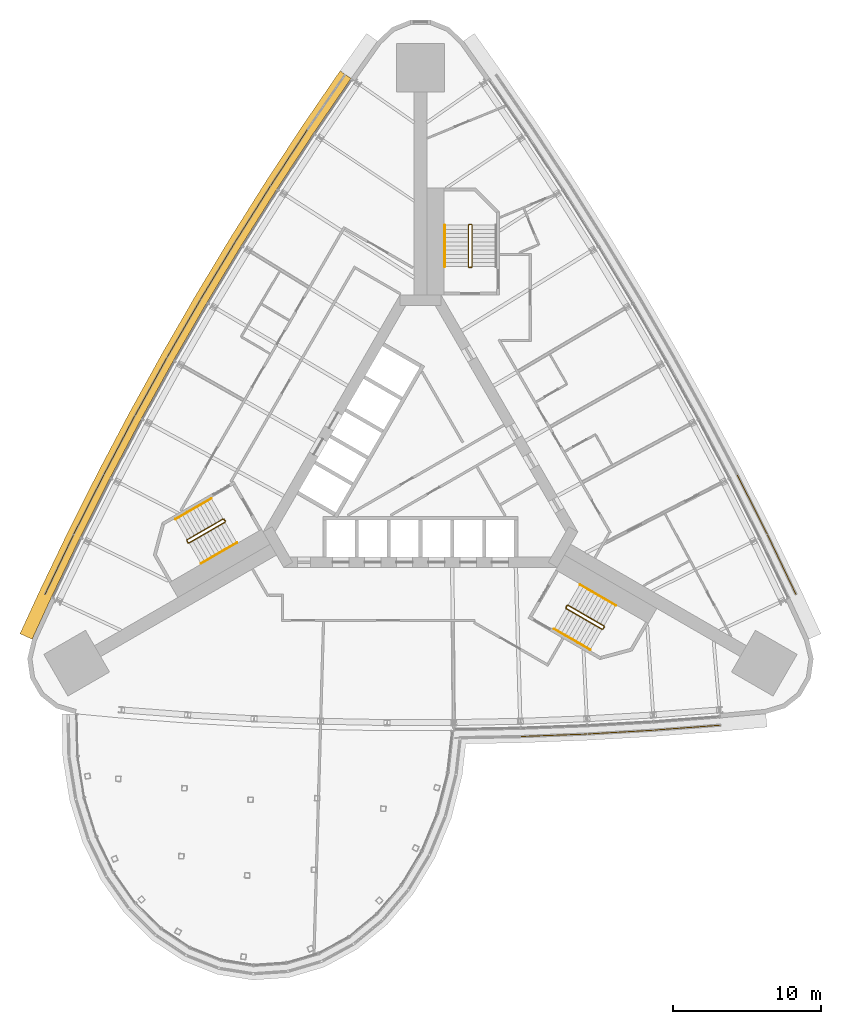
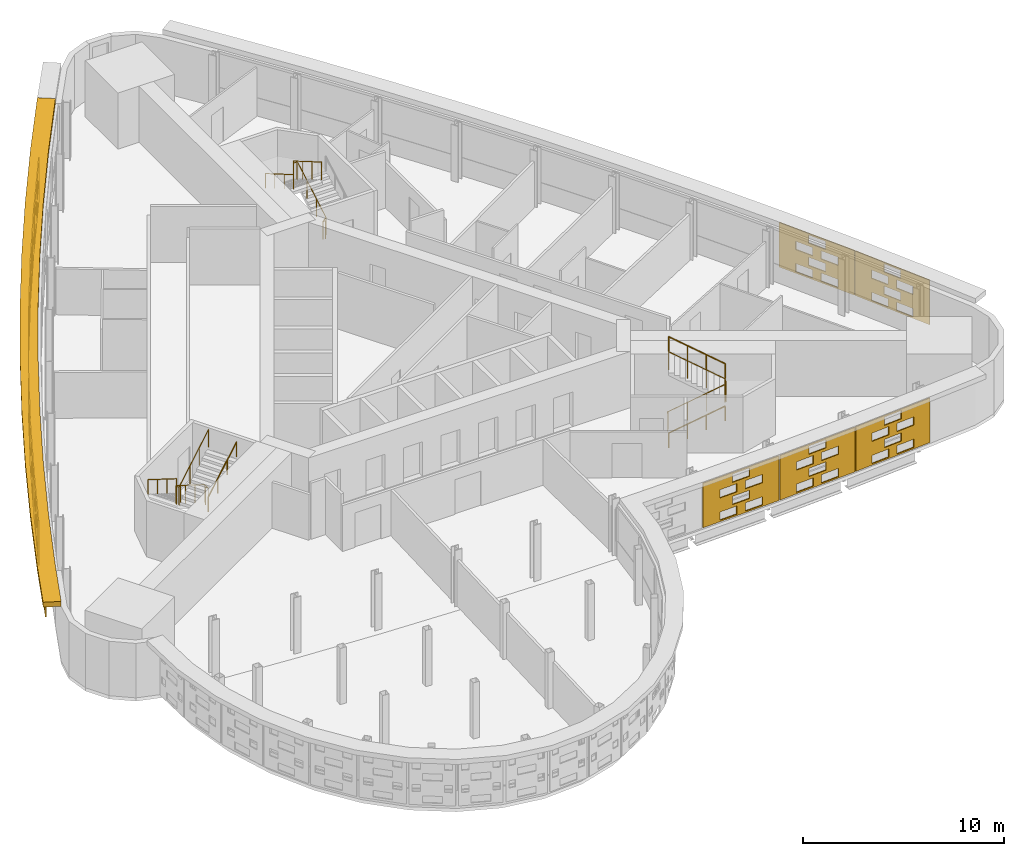
# One storey, part 14 of 15: 14 shading devices, 8 railings.
"""IFC4 building model written with IfcOpenShell, lengths in metres."""

from ifc_helpers import new_model, si_unit, direction, frame, origin, origin_2d, place, context, subcontext, project, spatial, polyline, circle, outline, extrude, material, material_profile, profile_set, type_object, element, save


model = new_model("IFC4")

# Units and contexts
model_context = context("Model", 3, precision=1e-05, world=origin(), true_north=direction((0.0, 1.0)))
body_context = subcontext(model_context, "Body", "Model", "MODEL_VIEW")
ifc_project = project(units=[si_unit("LENGTHUNIT", "METRE"), si_unit("AREAUNIT", "SQUARE_METRE"), si_unit("VOLUMEUNIT", "CUBIC_METRE"), si_unit("PLANEANGLEUNIT", "RADIAN"), si_unit("MASSUNIT", "GRAM", prefix="KILO")], contexts=[model_context])

# Site, building, storey
site_placement = place(None, origin())
site = spatial("IfcSite", under=ifc_project, at=site_placement, CompositionType="ELEMENT")
building_placement = place(site_placement, origin())
building = spatial("IfcBuilding", under=site, at=building_placement, Name="Noor Cloister Tower", CompositionType="ELEMENT")
storey_placement = place(building_placement, frame((0.0, 0.0, 58.199951171875)))
storey = spatial("IfcBuildingStorey", under=building, at=storey_placement, Name="L14", CompositionType="ELEMENT", Elevation=58.199951171875)

# Shading devices
ifc_material_1 = material(Name="Limestone", Category="masonry")
ifc_material_profile = material_profile(ifc_material_1, outline(polyline([(-2.22998046875, -1.35009765625), (2.22998046875, -1.35009765625), (2.22998046875, 1.35009765625), (-2.22998046875, 1.35009765625), (-2.22998046875, -1.35009765625)]), holes=[polyline([(-1.25, -1.263427734375), (-0.25, -1.263427734375), (-0.25, -0.76171875), (-1.25, -0.76171875), (-1.25, -1.263427734375)]), polyline([(0.25, -1.263427734375), (1.25, -1.263427734375), (1.25, -0.76171875), (0.25, -0.76171875), (0.25, -1.263427734375)]), polyline([(-0.5, -0.58837890625), (0.5, -0.58837890625), (0.5, -0.086669921875), (-0.5, -0.086669921875), (-0.5, -0.58837890625)]), polyline([(-1.25, 0.086669921875), (-0.25, 0.086669921875), (-0.25, 0.58837890625), (-1.25, 0.58837890625), (-1.25, 0.086669921875)]), polyline([(0.25, 0.086669921875), (1.25, 0.086669921875), (1.25, 0.58837890625), (0.25, 0.58837890625), (0.25, 0.086669921875)]), polyline([(-0.5, 0.76171875), (0.5, 0.76171875), (0.5, 1.263427734375), (-0.5, 1.263427734375), (-0.5, 0.76171875)])]), Name="Woven screen 25 percent open")
ifc_profile_set = profile_set([ifc_material_profile], Name="Limestone")
shading_device_type_1 = type_object("IfcShadingDeviceType", Name="SCREEN woven limestone 25 percent open", PredefinedType="USERDEFINED", material=ifc_profile_set)
shading_device_1_placement = place(storey_placement, frame((-8.83544921875, 20.710205078125, 1.85009765625), z_axis=(-0.837041537521, 0.547139346477, 0.0), x_axis=(-0.547139346477, -0.837041537521, 0.0)))
element("IfcShadingDevice", 1, at=shading_device_1_placement, inside=storey, type_object=shading_device_type_1, Name="SCREEN L14 2", ObjectType="SCREEN", PredefinedType="USERDEFINED", context=body_context, shape_type="SweptSolid", body=[
    extrude(outline(polyline([(-2.22998046875, -1.35009765625), (2.22998046875, -1.35009765625), (2.22998046875, 1.35009765625), (-2.22998046875, 1.35009765625), (-2.22998046875, -1.35009765625)]), holes=[polyline([(-1.25, -1.263427734375), (-0.25, -1.263427734375), (-0.25, -0.76171875), (-1.25, -0.76171875), (-1.25, -1.263427734375)]), polyline([(0.25, -1.263427734375), (1.25, -1.263427734375), (1.25, -0.76171875), (0.25, -0.76171875), (0.25, -1.263427734375)]), polyline([(-0.5, -0.58837890625), (0.5, -0.58837890625), (0.5, -0.086669921875), (-0.5, -0.086669921875), (-0.5, -0.58837890625)]), polyline([(-1.25, 0.086669921875), (-0.25, 0.086669921875), (-0.25, 0.58837890625), (-1.25, 0.58837890625), (-1.25, 0.086669921875)]), polyline([(0.25, 0.086669921875), (1.25, 0.086669921875), (1.25, 0.58837890625), (0.25, 0.58837890625), (0.25, 0.086669921875)]), polyline([(-0.5, 0.76171875), (0.5, 0.76171875), (0.5, 1.263427734375), (-0.5, 1.263427734375), (-0.5, 0.76171875)])]), origin(), (0.0, 0.0, 1.0), 0.059814453125),
])
shading_device_2_placement = place(storey_placement, frame((-11.2734375, 16.917724609375, 1.85009765625), z_axis=(-0.846164898331, 0.53292116193, 0.0), x_axis=(-0.53292116193, -0.846164898331, 0.0)))
element("IfcShadingDevice", 2, at=shading_device_2_placement, inside=storey, type_object=shading_device_type_1, Name="SCREEN L14 3", ObjectType="SCREEN", PredefinedType="USERDEFINED", context=body_context, shape_type="SweptSolid", body=[
    extrude(outline(polyline([(-2.22998046875, -1.35009765625), (2.22998046875, -1.35009765625), (2.22998046875, 1.35009765625), (-2.22998046875, 1.35009765625), (-2.22998046875, -1.35009765625)]), holes=[polyline([(-1.25, -1.263427734375), (-0.25, -1.263427734375), (-0.25, -0.76171875), (-1.25, -0.76171875), (-1.25, -1.263427734375)]), polyline([(0.25, -1.263427734375), (1.25, -1.263427734375), (1.25, -0.76171875), (0.25, -0.76171875), (0.25, -1.263427734375)]), polyline([(-0.5, -0.58837890625), (0.5, -0.58837890625), (0.5, -0.086669921875), (-0.5, -0.086669921875), (-0.5, -0.58837890625)]), polyline([(-1.25, 0.086669921875), (-0.25, 0.086669921875), (-0.25, 0.58837890625), (-1.25, 0.58837890625), (-1.25, 0.086669921875)]), polyline([(0.25, 0.086669921875), (1.25, 0.086669921875), (1.25, 0.58837890625), (0.25, 0.58837890625), (0.25, 0.086669921875)]), polyline([(-0.5, 0.76171875), (0.5, 0.76171875), (0.5, 1.263427734375), (-0.5, 1.263427734375), (-0.5, 0.76171875)])]), origin(), (0.0, 0.0, 1.0), 0.06005859375),
])
shading_device_3_placement = place(storey_placement, frame((-13.638427734375, 13.07958984375, 1.85009765625), z_axis=(-0.855690023312, 0.517488728384, 0.0), x_axis=(-0.517488728384, -0.855690023312, 0.0)))
element("IfcShadingDevice", 3, at=shading_device_3_placement, inside=storey, type_object=shading_device_type_1, Name="SCREEN L14 4", ObjectType="SCREEN", PredefinedType="USERDEFINED", context=body_context, shape_type="SweptSolid", body=[
    extrude(outline(polyline([(-2.22998046875, -1.35009765625), (2.22998046875, -1.35009765625), (2.22998046875, 1.35009765625), (-2.22998046875, 1.35009765625), (-2.22998046875, -1.35009765625)]), holes=[polyline([(-1.25, -1.263427734375), (-0.25, -1.263427734375), (-0.25, -0.76171875), (-1.25, -0.76171875), (-1.25, -1.263427734375)]), polyline([(0.25, -1.263427734375), (1.25, -1.263427734375), (1.25, -0.76171875), (0.25, -0.76171875), (0.25, -1.263427734375)]), polyline([(-0.5, -0.58837890625), (0.5, -0.58837890625), (0.5, -0.086669921875), (-0.5, -0.086669921875), (-0.5, -0.58837890625)]), polyline([(-1.25, 0.086669921875), (-0.25, 0.086669921875), (-0.25, 0.58837890625), (-1.25, 0.58837890625), (-1.25, 0.086669921875)]), polyline([(0.25, 0.086669921875), (1.25, 0.086669921875), (1.25, 0.58837890625), (0.25, 0.58837890625), (0.25, 0.086669921875)]), polyline([(-0.5, 0.76171875), (0.5, 0.76171875), (0.5, 1.263427734375), (-0.5, 1.263427734375), (-0.5, 0.76171875)])]), origin(), (0.0, 0.0, 1.0), 0.059814453125),
])
shading_device_4_placement = place(storey_placement, frame((-15.9296875, 9.197021484375, 1.85009765625), z_axis=(-0.865982457891, 0.500074377092, 0.0), x_axis=(-0.500074377092, -0.865982457891, 0.0)))
element("IfcShadingDevice", 4, at=shading_device_4_placement, inside=storey, type_object=shading_device_type_1, Name="SCREEN L14 5", ObjectType="SCREEN", PredefinedType="USERDEFINED", context=body_context, shape_type="SweptSolid", body=[
    extrude(outline(polyline([(-2.22998046875, -1.35009765625), (2.22998046875, -1.35009765625), (2.22998046875, 1.35009765625), (-2.22998046875, 1.35009765625), (-2.22998046875, -1.35009765625)]), holes=[polyline([(-1.25, -1.263427734375), (-0.25, -1.263427734375), (-0.25, -0.76171875), (-1.25, -0.76171875), (-1.25, -1.263427734375)]), polyline([(0.25, -1.263427734375), (1.25, -1.263427734375), (1.25, -0.76171875), (0.25, -0.76171875), (0.25, -1.263427734375)]), polyline([(-0.5, -0.58837890625), (0.5, -0.58837890625), (0.5, -0.086669921875), (-0.5, -0.086669921875), (-0.5, -0.58837890625)]), polyline([(-1.25, 0.086669921875), (-0.25, 0.086669921875), (-0.25, 0.58837890625), (-1.25, 0.58837890625), (-1.25, 0.086669921875)]), polyline([(0.25, 0.086669921875), (1.25, 0.086669921875), (1.25, 0.58837890625), (0.25, 0.58837890625), (0.25, 0.086669921875)]), polyline([(-0.5, 0.76171875), (0.5, 0.76171875), (0.5, 1.263427734375), (-0.5, 1.263427734375), (-0.5, 0.76171875)])]), origin(), (0.0, 0.0, 1.0), 0.06005859375),
])
shading_device_5_placement = place(storey_placement, frame((-18.146484375, 5.271484375, 1.85009765625), z_axis=(-0.876645997325, 0.481135942718, 0.0), x_axis=(-0.481135942718, -0.876645997325, 0.0)))
element("IfcShadingDevice", 5, at=shading_device_5_placement, inside=storey, type_object=shading_device_type_1, Name="SCREEN L14 6", ObjectType="SCREEN", PredefinedType="USERDEFINED", context=body_context, shape_type="SweptSolid", body=[
    extrude(outline(polyline([(-2.22998046875, -1.35009765625), (2.22998046875, -1.35009765625), (2.22998046875, 1.35009765625), (-2.22998046875, 1.35009765625), (-2.22998046875, -1.35009765625)]), holes=[polyline([(-1.25, -1.263427734375), (-0.25, -1.263427734375), (-0.25, -0.76171875), (-1.25, -0.76171875), (-1.25, -1.263427734375)]), polyline([(0.25, -1.263427734375), (1.25, -1.263427734375), (1.25, -0.76171875), (0.25, -0.76171875), (0.25, -1.263427734375)]), polyline([(-0.5, -0.58837890625), (0.5, -0.58837890625), (0.5, -0.086669921875), (-0.5, -0.086669921875), (-0.5, -0.58837890625)]), polyline([(-1.25, 0.086669921875), (-0.25, 0.086669921875), (-0.25, 0.58837890625), (-1.25, 0.58837890625), (-1.25, 0.086669921875)]), polyline([(0.25, 0.086669921875), (1.25, 0.086669921875), (1.25, 0.58837890625), (0.25, 0.58837890625), (0.25, 0.086669921875)]), polyline([(-0.5, 0.76171875), (0.5, 0.76171875), (0.5, 1.263427734375), (-0.5, 1.263427734375), (-0.5, 0.76171875)])]), origin(), (0.0, 0.0, 1.0), 0.059814453125),
])
for number, where, z_axis, x_axis, name in (
    (6, (-20.287841796875, 1.30419921875, 1.85009765625), (-0.886149575817, 0.463399319464, 0.0), (-0.463399319464, -0.886149575817, 0.0), "SCREEN L14 7"),
    (7, (-22.353271484375, -2.703369140625, 1.85009765625), (-0.891970083601, 0.452094425935, 0.0), (-0.452094425935, -0.891970083601, 0.0), "SCREEN L14 8"),
    (8, (-24.341552734375, -6.74951171875, 1.85009765625), (-0.902409201061, 0.430880068975, 0.0), (-0.430880068975, -0.902409201061, 0.0), "SCREEN L14 9"),
    (9, (9.0146484375, -18.221923828125, 1.85009765625), (0.036560905851, -0.999331426586, 0.0), (0.999331426586, 0.036560905851, 0.0), "SCREEN L14 20"),
):
    element("IfcShadingDevice", number, at=place(storey_placement, frame(where, z_axis=z_axis, x_axis=x_axis)), inside=storey, type_object=shading_device_type_1, Name=name, ObjectType="SCREEN", PredefinedType="USERDEFINED", context=body_context, shape_type="SweptSolid", body=[
        extrude(outline(polyline([(-2.22998046875, -1.35009765625), (2.22998046875, -1.35009765625), (2.22998046875, 1.35009765625), (-2.22998046875, 1.35009765625), (-2.22998046875, -1.35009765625)]), holes=[polyline([(-1.25, -1.263427734375), (-0.25, -1.263427734375), (-0.25, -0.76171875), (-1.25, -0.76171875), (-1.25, -1.263427734375)]), polyline([(0.25, -1.263427734375), (1.25, -1.263427734375), (1.25, -0.76171875), (0.25, -0.76171875), (0.25, -1.263427734375)]), polyline([(-0.5, -0.58837890625), (0.5, -0.58837890625), (0.5, -0.086669921875), (-0.5, -0.086669921875), (-0.5, -0.58837890625)]), polyline([(-1.25, 0.086669921875), (-0.25, 0.086669921875), (-0.25, 0.58837890625), (-1.25, 0.58837890625), (-1.25, 0.086669921875)]), polyline([(0.25, 0.086669921875), (1.25, 0.086669921875), (1.25, 0.58837890625), (0.25, 0.58837890625), (0.25, 0.086669921875)]), polyline([(-0.5, 0.76171875), (0.5, 0.76171875), (0.5, 1.263427734375), (-0.5, 1.263427734375), (-0.5, 0.76171875)])]), origin(), (0.0, 0.0, 1.0), 0.06005859375),
    ])
shading_device_6_placement = place(storey_placement, frame((13.517822265625, -18.0068359375, 1.85009765625), z_axis=(0.057049790539, -0.998371334424, 0.0), x_axis=(0.998371334424, 0.057049790539, 0.0)))
element("IfcShadingDevice", 10, at=shading_device_6_placement, inside=storey, type_object=shading_device_type_1, Name="SCREEN L14 21", ObjectType="SCREEN", PredefinedType="USERDEFINED", context=body_context, shape_type="SweptSolid", body=[
    extrude(outline(polyline([(-2.22998046875, -1.35009765625), (2.22998046875, -1.35009765625), (2.22998046875, 1.35009765625), (-2.22998046875, 1.35009765625), (-2.22998046875, -1.35009765625)]), holes=[polyline([(-1.25, -1.263427734375), (-0.25, -1.263427734375), (-0.25, -0.76171875), (-1.25, -0.76171875), (-1.25, -1.263427734375)]), polyline([(0.25, -1.263427734375), (1.25, -1.263427734375), (1.25, -0.76171875), (0.25, -0.76171875), (0.25, -1.263427734375)]), polyline([(-0.5, -0.58837890625), (0.5, -0.58837890625), (0.5, -0.086669921875), (-0.5, -0.086669921875), (-0.5, -0.58837890625)]), polyline([(-1.25, 0.086669921875), (-0.25, 0.086669921875), (-0.25, 0.58837890625), (-1.25, 0.58837890625), (-1.25, 0.086669921875)]), polyline([(0.25, 0.086669921875), (1.25, 0.086669921875), (1.25, 0.58837890625), (0.25, 0.58837890625), (0.25, 0.086669921875)]), polyline([(-0.5, 0.76171875), (0.5, 0.76171875), (0.5, 1.263427734375), (-0.5, 1.263427734375), (-0.5, 0.76171875)])]), origin(), (0.0, 0.0, 1.0), 0.059814453125),
])
for number, where, z_axis, x_axis, name in (
    (11, (18.01611328125, -17.70556640625, 1.85009765625), (0.073271902152, -0.99731200151, 0.0), (0.99731200151, 0.073271902152, 0.0), "SCREEN L14 22"),
    (12, (24.341552734375, -6.74951171875, 1.85009765625), (0.902409201061, 0.430880068975, 0.0), (-0.430880068975, 0.902409201061, 0.0), "SCREEN L14 1"),
    (13, (22.353271484375, -2.703369140625, 1.85009765625), (0.891970083601, 0.452094425935, 0.0), (-0.452094425935, 0.891970083601, 0.0), "SCREEN L14 2"),
):
    element("IfcShadingDevice", number, at=place(storey_placement, frame(where, z_axis=z_axis, x_axis=x_axis)), inside=storey, type_object=shading_device_type_1, Name=name, ObjectType="SCREEN", PredefinedType="USERDEFINED", context=body_context, shape_type="SweptSolid", body=[
        extrude(outline(polyline([(-2.22998046875, -1.35009765625), (2.22998046875, -1.35009765625), (2.22998046875, 1.35009765625), (-2.22998046875, 1.35009765625), (-2.22998046875, -1.35009765625)]), holes=[polyline([(-1.25, -1.263427734375), (-0.25, -1.263427734375), (-0.25, -0.76171875), (-1.25, -0.76171875), (-1.25, -1.263427734375)]), polyline([(0.25, -1.263427734375), (1.25, -1.263427734375), (1.25, -0.76171875), (0.25, -0.76171875), (0.25, -1.263427734375)]), polyline([(-0.5, -0.58837890625), (0.5, -0.58837890625), (0.5, -0.086669921875), (-0.5, -0.086669921875), (-0.5, -0.58837890625)]), polyline([(-1.25, 0.086669921875), (-0.25, 0.086669921875), (-0.25, 0.58837890625), (-1.25, 0.58837890625), (-1.25, 0.086669921875)]), polyline([(0.25, 0.086669921875), (1.25, 0.086669921875), (1.25, 0.58837890625), (0.25, 0.58837890625), (0.25, 0.086669921875)]), polyline([(-0.5, 0.76171875), (0.5, 0.76171875), (0.5, 1.263427734375), (-0.5, 1.263427734375), (-0.5, 0.76171875)])]), origin(), (0.0, 0.0, 1.0), 0.06005859375),
    ])
ifc_material_2 = material(Name="Limestone", Category="masonry")
shading_device_type_2 = type_object("IfcShadingDeviceType", Name="SUNSHADE limestone band 900", PredefinedType="USERDEFINED", material=ifc_material_2)
shading_device_7_placement = place(storey_placement, frame((0.0, 0.0, 3.300048828125)))
element("IfcShadingDevice", 14, at=shading_device_7_placement, inside=storey, type_object=shading_device_type_2, Name="SUNSHADE L14 1", ObjectType="SUNSHADE", PredefinedType="USERDEFINED", context=body_context, shape_type="SweptSolid", body=[
    extrude(outline(polyline([(-5.426513671875, 26.566162109375), (-7.97216796875, 22.84521484375), (-10.450927734375, 19.06884765625), (-12.857421875, 15.24609375), (-15.190185546875, 11.3779296875), (-17.44873046875, 7.466064453125), (-19.632080078125, 3.51171875), (-21.73974609375, -0.483642578125), (-23.7705078125, -4.5185546875), (-25.723388671875, -8.590087890625), (-27.015869140625, -11.399658203125), (-26.1982421875, -11.77587890625), (-24.908935546875, -8.972900390625), (-22.962890625, -4.91552734375), (-20.939697265625, -0.89599609375), (-18.840087890625, 3.084228515625), (-16.6650390625, 7.0234375), (-14.4150390625, 10.920654296875), (-12.091064453125, 14.77392578125), (-9.69384765625, 18.582275390625), (-7.224609375, 22.343994140625), (-4.683837890625, 26.05810546875), (-5.426513671875, 26.566162109375)])), origin(), (0.0, 0.0, 1.0), 0.300048828125),
])

# Railings
ifc_material_3 = material(Name="Stainless steel", Category="steel")
railing_type_1 = type_object("IfcRailingType", Name="Stair guard 1100", PredefinedType="GUARDRAIL", material=ifc_material_3)
railing_1_placement = place(storey_placement, frame((3.435546875, 13.306396484375, 0.0)))
element("IfcRailing", 15, at=railing_1_placement, inside=storey, type_object=railing_type_1, Name="Stair guard ST1 L14", PredefinedType="GUARDRAIL", context=body_context, shape_type="SweptSolid", body=[
    extrude(circle(Radius=0.02392578125, at=origin_2d()), frame((0.0, 0.0, 1.076171875), z_axis=(-1.0, 0.0, 0.0), x_axis=(0.0, -1.0, 0.0)), (0.0, 0.0, 1.0), 0.14990234375),
    extrude(circle(Radius=0.02392578125, at=origin_2d()), frame((-0.14990234375, 0.0, 1.076171875), z_axis=(0.759870394187, 0.190199549216, 0.621627795), x_axis=(-0.242814311512, 0.970072785993, 0.0)), (0.0, 0.0, 1.0), 0.26318359375),
    extrude(circle(Radius=0.02392578125, at=origin_2d()), frame((0.050048828125, 0.050048828125, 1.23974609375), z_axis=(0.0, 0.863360870873, 0.504586966384), x_axis=(-1.0, 0.0, 0.0)), (0.0, 0.0, 1.0), 3.2431640625),
    extrude(circle(Radius=0.02392578125, at=origin_2d()), frame((0.050048828125, 2.85009765625, 2.8759765625), z_axis=(-0.708833529934, 0.705375805398, 0.0), x_axis=(-0.705375805398, -0.708833529934, 0.0)), (0.0, 0.0, 1.0), 0.070556640625),
    extrude(circle(Radius=0.02392578125, at=origin_2d()), frame((0.0, 2.89990234375, 2.8759765625), z_axis=(-1.0, 0.0, 0.0), x_axis=(0.0, -1.0, 0.0)), (0.0, 0.0, 1.0), 0.14990234375),
    extrude(circle(Radius=0.02392578125, at=origin_2d()), frame((-0.14990234375, 2.89990234375, 2.8759765625), z_axis=(-0.280916556609, -0.279546231943, 0.91811752648), x_axis=(0.705375805398, -0.708833529934, 0.0)), (0.0, 0.0, 1.0), 0.17822265625),
    extrude(circle(Radius=0.02392578125, at=origin_2d()), frame((-0.199951171875, 2.85009765625, 3.03955078125), z_axis=(0.0, -0.863360870873, 0.504586966384), x_axis=(1.0, 0.0, 0.0)), (0.0, 0.0, 1.0), 3.2431640625),
    extrude(circle(Radius=0.02099609375, at=origin_2d()), origin(), (0.0, 0.0, 1.0), 1.052001953125),
    extrude(circle(Radius=0.02099609375, at=origin_2d()), frame((-0.14990234375, 0.0, 0.0)), (0.0, 0.0, 1.0), 1.052001953125),
    extrude(circle(Radius=0.02099609375, at=origin_2d()), frame((0.050048828125, 0.050048828125, 0.16357421875)), (0.0, 0.0, 1.0), 1.052001953125),
    extrude(circle(Radius=0.02099609375, at=origin_2d()), frame((0.050048828125, 0.9833984375, 0.708984375)), (0.0, 0.0, 1.0), 1.052001953125),
    extrude(circle(Radius=0.02099609375, at=origin_2d()), frame((0.050048828125, 1.916748046875, 1.254638671875)), (0.0, 0.0, 1.0), 1.052001953125),
    extrude(circle(Radius=0.02099609375, at=origin_2d()), frame((0.050048828125, 2.85009765625, 1.800048828125)), (0.0, 0.0, 1.0), 1.052001953125),
    extrude(circle(Radius=0.02099609375, at=origin_2d()), frame((0.0, 2.89990234375, 1.800048828125)), (0.0, 0.0, 1.0), 1.052001953125),
    extrude(circle(Radius=0.02099609375, at=origin_2d()), frame((-0.14990234375, 2.89990234375, 1.800048828125)), (0.0, 0.0, 1.0), 1.052001953125),
    extrude(circle(Radius=0.02099609375, at=origin_2d()), frame((-0.199951171875, 2.85009765625, 1.963623046875)), (0.0, 0.0, 1.0), 1.052001953125),
    extrude(circle(Radius=0.02099609375, at=origin_2d()), frame((-0.199951171875, 1.916748046875, 2.509033203125)), (0.0, 0.0, 1.0), 1.052001953125),
    extrude(circle(Radius=0.02099609375, at=origin_2d()), frame((-0.199951171875, 0.9833984375, 3.0546875)), (0.0, 0.0, 1.0), 1.052001953125),
    extrude(circle(Radius=0.02099609375, at=origin_2d()), frame((-0.199951171875, 0.050048828125, 3.60009765625)), (0.0, 0.0, 1.0), 1.052001953125),
])
railing_2_placement = place(storey_placement, frame((-13.241455078125, -3.677734375, 0.0)))
element("IfcRailing", 16, at=railing_2_placement, inside=storey, type_object=railing_type_1, Name="Stair guard ST2 L14", PredefinedType="GUARDRAIL", context=body_context, shape_type="SweptSolid", body=[
    extrude(circle(Radius=0.02392578125, at=origin_2d()), frame((0.0, 0.0, 1.076171875), z_axis=(0.499112439033, -0.866537231285, 0.0), x_axis=(0.866537231285, 0.499112439033, 0.0)), (0.0, 0.0, 1.0), 0.150146484375),
    extrude(circle(Radius=0.02392578125, at=origin_2d()), frame((0.074951171875, -0.130126953125, 1.076171875), z_axis=(-0.544565797804, 0.563119998752, 0.621565731736), x_axis=(-0.718850276695, -0.695164929852, 0.0)), (0.0, 0.0, 1.0), 0.26318359375),
    extrude(circle(Radius=0.02392578125, at=origin_2d()), frame((-0.068359375, 0.01806640625, 1.23974609375), z_axis=(-0.747689811644, -0.431660630283, 0.504607813879), x_axis=(0.49998411664, -0.866034573852, 0.0)), (0.0, 0.0, 1.0), 3.2431640625),
    extrude(circle(Radius=0.02392578125, at=origin_2d()), frame((-2.4931640625, -1.3818359375, 2.8759765625), z_axis=(-0.258736085224, -0.965948051503, 0.0), x_axis=(0.965948051503, -0.258736085224, 0.0)), (0.0, 0.0, 1.0), 0.07080078125),
    extrude(circle(Radius=0.02392578125, at=origin_2d()), frame((-2.511474609375, -1.4501953125, 2.8759765625), z_axis=(0.499816412211, -0.866131372301, 0.0), x_axis=(0.866131372301, 0.499816412211, 0.0)), (0.0, 0.0, 1.0), 0.14990234375),
    extrude(circle(Radius=0.02392578125, at=origin_2d()), frame((-2.4365234375, -1.580078125, 2.8759765625), z_axis=(0.383552647116, -0.102737316192, 0.917786691313), x_axis=(0.258736085224, 0.965948051503, 0.0)), (0.0, 0.0, 1.0), 0.17822265625),
    extrude(circle(Radius=0.02392578125, at=origin_2d()), frame((-2.3681640625, -1.598388671875, 3.03955078125), z_axis=(0.747665513933, 0.431721881032, 0.504591415616), x_axis=(-0.500049511043, 0.865996816683, 0.0)), (0.0, 0.0, 1.0), 3.2431640625),
    extrude(circle(Radius=0.02099609375, at=origin_2d()), origin(), (0.0, 0.0, 1.0), 1.052001953125),
    extrude(circle(Radius=0.02099609375, at=origin_2d()), frame((0.074951171875, -0.130126953125, 0.0)), (0.0, 0.0, 1.0), 1.052001953125),
    extrude(circle(Radius=0.02099609375, at=origin_2d()), frame((-0.068359375, 0.01806640625, 0.16357421875)), (0.0, 0.0, 1.0), 1.052001953125),
    extrude(circle(Radius=0.02099609375, at=origin_2d()), frame((-0.876708984375, -0.448486328125, 0.708984375)), (0.0, 0.0, 1.0), 1.052001953125),
    extrude(circle(Radius=0.02099609375, at=origin_2d()), frame((-1.684814453125, -0.915283203125, 1.254638671875)), (0.0, 0.0, 1.0), 1.052001953125),
    extrude(circle(Radius=0.02099609375, at=origin_2d()), frame((-2.4931640625, -1.3818359375, 1.800048828125)), (0.0, 0.0, 1.0), 1.052001953125),
    extrude(circle(Radius=0.02099609375, at=origin_2d()), frame((-2.511474609375, -1.4501953125, 1.800048828125)), (0.0, 0.0, 1.0), 1.052001953125),
    extrude(circle(Radius=0.02099609375, at=origin_2d()), frame((-2.4365234375, -1.580078125, 1.800048828125)), (0.0, 0.0, 1.0), 1.052001953125),
    extrude(circle(Radius=0.02099609375, at=origin_2d()), frame((-2.3681640625, -1.598388671875, 1.963623046875)), (0.0, 0.0, 1.0), 1.052001953125),
    extrude(circle(Radius=0.02099609375, at=origin_2d()), frame((-1.559814453125, -1.131591796875, 2.509033203125)), (0.0, 0.0, 1.0), 1.052001953125),
    extrude(circle(Radius=0.02099609375, at=origin_2d()), frame((-0.751708984375, -0.6650390625, 3.0546875)), (0.0, 0.0, 1.0), 1.052001953125),
    extrude(circle(Radius=0.02099609375, at=origin_2d()), frame((0.056640625, -0.1982421875, 3.60009765625)), (0.0, 0.0, 1.0), 1.052001953125),
])
railing_3_placement = place(storey_placement, frame((9.805908203125, -9.628662109375, 0.0)))
element("IfcRailing", 17, at=railing_3_placement, inside=storey, type_object=railing_type_1, Name="Stair guard ST3 L14", PredefinedType="GUARDRAIL", context=body_context, shape_type="SweptSolid", body=[
    extrude(circle(Radius=0.02392578125, at=origin_2d()), frame((0.0, 0.0, 1.076171875), z_axis=(0.499112439033, 0.866537231285, 0.0), x_axis=(-0.866537231285, 0.499112439033, 0.0)), (0.0, 0.0, 1.0), 0.150146484375),
    extrude(circle(Radius=0.02392578125, at=origin_2d()), frame((0.074951171875, 0.130126953125, 1.076171875), z_axis=(-0.215214839654, -0.753251938789, 0.621525614518), x_axis=(0.961523947641, -0.274721127897, 0.0)), (0.0, 0.0, 1.0), 0.26318359375),
    extrude(circle(Radius=0.02392578125, at=origin_2d()), frame((0.018310546875, -0.068115234375, 1.23974609375), z_axis=(0.747665513933, -0.431721881032, 0.504591415616), x_axis=(0.500049511043, 0.865996816683, 0.0)), (0.0, 0.0, 1.0), 3.2431640625),
    extrude(circle(Radius=0.02392578125, at=origin_2d()), frame((2.443115234375, -1.46826171875, 2.8759765625), z_axis=(0.965948051503, 0.258736085224, 0.0), x_axis=(-0.258736085224, 0.965948051503, 0.0)), (0.0, 0.0, 1.0), 0.07080078125),
    extrude(circle(Radius=0.02392578125, at=origin_2d()), frame((2.511474609375, -1.449951171875, 2.8759765625), z_axis=(0.499816412211, 0.866131372301, 0.0), x_axis=(-0.866131372301, 0.499816412211, 0.0)), (0.0, 0.0, 1.0), 0.14990234375),
    extrude(circle(Radius=0.02392578125, at=origin_2d()), frame((2.58642578125, -1.320068359375, 2.8759765625), z_axis=(-0.102737316192, 0.383552647116, 0.917786691313), x_axis=(-0.965948051503, -0.258736085224, 0.0)), (0.0, 0.0, 1.0), 0.17822265625),
    extrude(circle(Radius=0.02392578125, at=origin_2d()), frame((2.568115234375, -1.251708984375, 3.03955078125), z_axis=(-0.747689811644, 0.431660630283, 0.504607813879), x_axis=(-0.49998411664, -0.866034573852, 0.0)), (0.0, 0.0, 1.0), 3.2431640625),
    extrude(circle(Radius=0.02099609375, at=origin_2d()), origin(), (0.0, 0.0, 1.0), 1.052001953125),
    extrude(circle(Radius=0.02099609375, at=origin_2d()), frame((0.074951171875, 0.130126953125, 0.0)), (0.0, 0.0, 1.0), 1.052001953125),
    extrude(circle(Radius=0.02099609375, at=origin_2d()), frame((0.018310546875, -0.068115234375, 0.16357421875)), (0.0, 0.0, 1.0), 1.052001953125),
    extrude(circle(Radius=0.02099609375, at=origin_2d()), frame((0.82666015625, -0.534912109375, 0.708984375)), (0.0, 0.0, 1.0), 1.052001953125),
    extrude(circle(Radius=0.02099609375, at=origin_2d()), frame((1.634765625, -1.00146484375, 1.254638671875)), (0.0, 0.0, 1.0), 1.052001953125),
    extrude(circle(Radius=0.02099609375, at=origin_2d()), frame((2.443115234375, -1.46826171875, 1.800048828125)), (0.0, 0.0, 1.0), 1.052001953125),
    extrude(circle(Radius=0.02099609375, at=origin_2d()), frame((2.511474609375, -1.449951171875, 1.800048828125)), (0.0, 0.0, 1.0), 1.052001953125),
    extrude(circle(Radius=0.02099609375, at=origin_2d()), frame((2.58642578125, -1.320068359375, 1.800048828125)), (0.0, 0.0, 1.0), 1.052001953125),
    extrude(circle(Radius=0.02099609375, at=origin_2d()), frame((2.568115234375, -1.251708984375, 1.963623046875)), (0.0, 0.0, 1.0), 1.052001953125),
    extrude(circle(Radius=0.02099609375, at=origin_2d()), frame((1.759765625, -0.78515625, 2.509033203125)), (0.0, 0.0, 1.0), 1.052001953125),
    extrude(circle(Radius=0.02099609375, at=origin_2d()), frame((0.95166015625, -0.318359375, 3.0546875)), (0.0, 0.0, 1.0), 1.052001953125),
    extrude(circle(Radius=0.02099609375, at=origin_2d()), frame((0.143310546875, 0.148193359375, 3.60009765625)), (0.0, 0.0, 1.0), 1.052001953125),
])
ifc_material_4 = material(Name="Stainless steel", Category="steel")
railing_type_2 = type_object("IfcRailingType", Name="Stair handrail 900", PredefinedType="HANDRAIL", material=ifc_material_4)
railing_4_placement = place(storey_placement, frame((1.6357421875, 16.156494140625, 1.963623046875)))
element("IfcRailing", 18, at=railing_4_placement, inside=storey, type_object=railing_type_2, Name="Stair handrail ST1 L14 2", PredefinedType="HANDRAIL", context=body_context, shape_type="SweptSolid", body=[
    extrude(circle(Radius=0.02392578125, at=origin_2d()), frame((0.0, 0.0, 0.8759765625), z_axis=(0.0, -0.863360870873, 0.504586966384), x_axis=(1.0, 0.0, 0.0)), (0.0, 0.0, 1.0), 3.2431640625),
    extrude(circle(Radius=0.02099609375, at=origin_2d()), origin(), (0.0, 0.0, 1.0), 0.851806640625),
    extrude(circle(Radius=0.02099609375, at=origin_2d()), frame((0.0, -0.933349609375, 0.54541015625)), (0.0, 0.0, 1.0), 0.851806640625),
    extrude(circle(Radius=0.02099609375, at=origin_2d()), frame((0.0, -1.86669921875, 1.091064453125)), (0.0, 0.0, 1.0), 0.851806640625),
    extrude(circle(Radius=0.02099609375, at=origin_2d()), frame((0.0, -2.800048828125, 1.636474609375)), (0.0, 0.0, 1.0), 0.851806640625),
])
railing_5_placement = place(storey_placement, frame((-14.10986328125, -2.27392578125, 0.16357421875)))
element("IfcRailing", 19, at=railing_5_placement, inside=storey, type_object=railing_type_2, Name="Stair handrail ST2 L14 1", PredefinedType="HANDRAIL", context=body_context, shape_type="SweptSolid", body=[
    extrude(circle(Radius=0.02392578125, at=origin_2d()), frame((0.0, 0.0, 0.8759765625), z_axis=(-0.747689811644, -0.431660630283, 0.504607813879), x_axis=(0.49998411664, -0.866034573852, 0.0)), (0.0, 0.0, 1.0), 3.2431640625),
    extrude(circle(Radius=0.02099609375, at=origin_2d()), origin(), (0.0, 0.0, 1.0), 0.851806640625),
    extrude(circle(Radius=0.02099609375, at=origin_2d()), frame((-0.808349609375, -0.466552734375, 0.54541015625)), (0.0, 0.0, 1.0), 0.851806640625),
    extrude(circle(Radius=0.02099609375, at=origin_2d()), frame((-1.616455078125, -0.933349609375, 1.091064453125)), (0.0, 0.0, 1.0), 0.851806640625),
    extrude(circle(Radius=0.02099609375, at=origin_2d()), frame((-2.4248046875, -1.39990234375, 1.636474609375)), (0.0, 0.0, 1.0), 0.851806640625),
])
railing_6_placement = place(storey_placement, frame((-14.8095703125, -6.66162109375, 1.963623046875)))
element("IfcRailing", 20, at=railing_6_placement, inside=storey, type_object=railing_type_2, Name="Stair handrail ST2 L14 2", PredefinedType="HANDRAIL", context=body_context, shape_type="SweptSolid", body=[
    extrude(circle(Radius=0.02392578125, at=origin_2d()), frame((0.0, 0.0, 0.8759765625), z_axis=(0.747689811644, 0.431660630283, 0.504607813879), x_axis=(-0.49998411664, 0.866034573852, 0.0)), (0.0, 0.0, 1.0), 3.2431640625),
    extrude(circle(Radius=0.02099609375, at=origin_2d()), origin(), (0.0, 0.0, 1.0), 0.851806640625),
    extrude(circle(Radius=0.02099609375, at=origin_2d()), frame((0.808349609375, 0.466552734375, 0.54541015625)), (0.0, 0.0, 1.0), 0.851806640625),
    extrude(circle(Radius=0.02099609375, at=origin_2d()), frame((1.616455078125, 0.933349609375, 1.091064453125)), (0.0, 0.0, 1.0), 0.851806640625),
    extrude(circle(Radius=0.02099609375, at=origin_2d()), frame((2.4248046875, 1.39990234375, 1.636474609375)), (0.0, 0.0, 1.0), 0.851806640625),
])
railing_7_placement = place(storey_placement, frame((9.024169921875, -11.08251953125, 0.16357421875)))
element("IfcRailing", 21, at=railing_7_placement, inside=storey, type_object=railing_type_2, Name="Stair handrail ST3 L14 1", PredefinedType="HANDRAIL", context=body_context, shape_type="SweptSolid", body=[
    extrude(circle(Radius=0.02392578125, at=origin_2d()), frame((0.0, 0.0, 0.8759765625), z_axis=(0.747689811644, -0.431660630283, 0.504607813879), x_axis=(0.49998411664, 0.866034573852, 0.0)), (0.0, 0.0, 1.0), 3.2431640625),
    extrude(circle(Radius=0.02099609375, at=origin_2d()), origin(), (0.0, 0.0, 1.0), 0.851806640625),
    extrude(circle(Radius=0.02099609375, at=origin_2d()), frame((0.808349609375, -0.466552734375, 0.54541015625)), (0.0, 0.0, 1.0), 0.851806640625),
    extrude(circle(Radius=0.02099609375, at=origin_2d()), frame((1.616455078125, -0.933349609375, 1.091064453125)), (0.0, 0.0, 1.0), 0.851806640625),
    extrude(circle(Radius=0.02099609375, at=origin_2d()), frame((2.4248046875, -1.39990234375, 1.636474609375)), (0.0, 0.0, 1.0), 0.851806640625),
])
railing_8_placement = place(storey_placement, frame((13.174072265625, -9.49462890625, 1.963623046875)))
element("IfcRailing", 22, at=railing_8_placement, inside=storey, type_object=railing_type_2, Name="Stair handrail ST3 L14 2", PredefinedType="HANDRAIL", context=body_context, shape_type="SweptSolid", body=[
    extrude(circle(Radius=0.02392578125, at=origin_2d()), frame((0.0, 0.0, 0.8759765625), z_axis=(-0.747689811644, 0.431660630283, 0.504607813879), x_axis=(-0.49998411664, -0.866034573852, 0.0)), (0.0, 0.0, 1.0), 3.2431640625),
    extrude(circle(Radius=0.02099609375, at=origin_2d()), origin(), (0.0, 0.0, 1.0), 0.851806640625),
    extrude(circle(Radius=0.02099609375, at=origin_2d()), frame((-0.808349609375, 0.466552734375, 0.54541015625)), (0.0, 0.0, 1.0), 0.851806640625),
    extrude(circle(Radius=0.02099609375, at=origin_2d()), frame((-1.616455078125, 0.933349609375, 1.091064453125)), (0.0, 0.0, 1.0), 0.851806640625),
    extrude(circle(Radius=0.02099609375, at=origin_2d()), frame((-2.4248046875, 1.39990234375, 1.636474609375)), (0.0, 0.0, 1.0), 0.851806640625),
])

save(model, "model.ifc")
